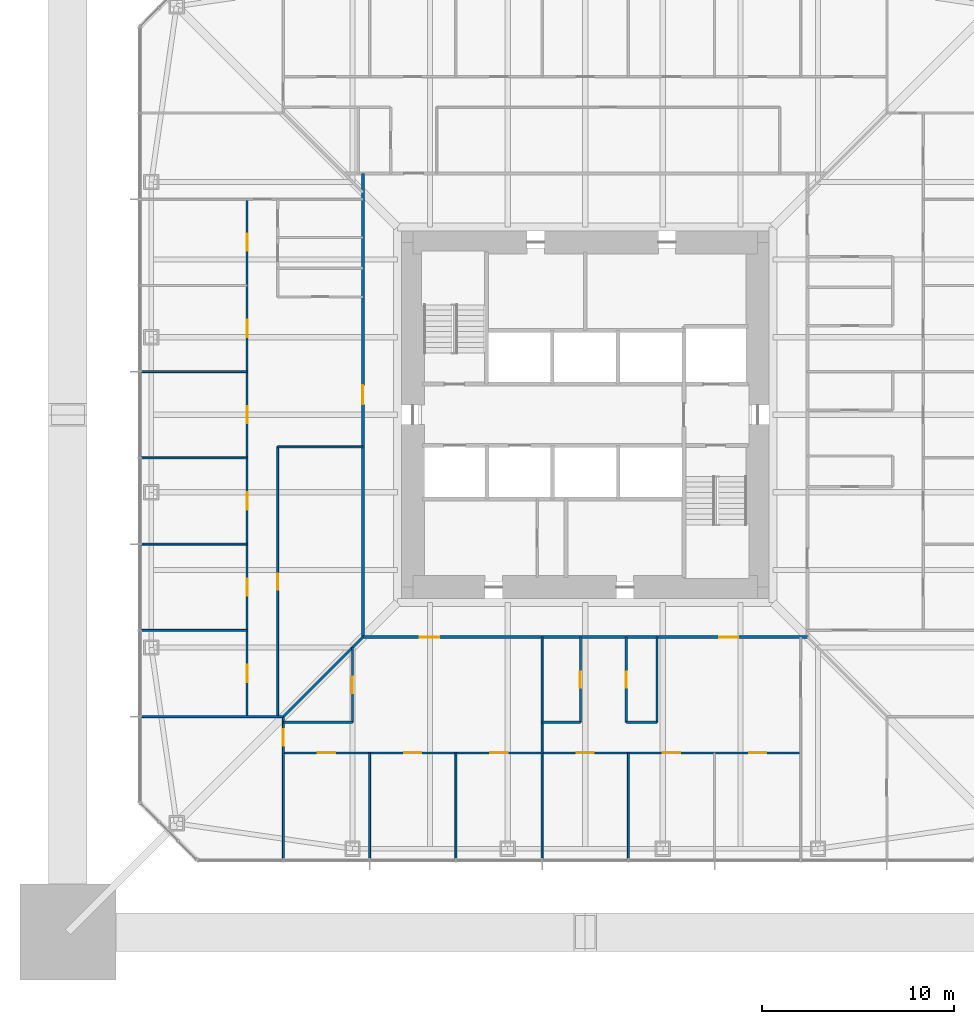
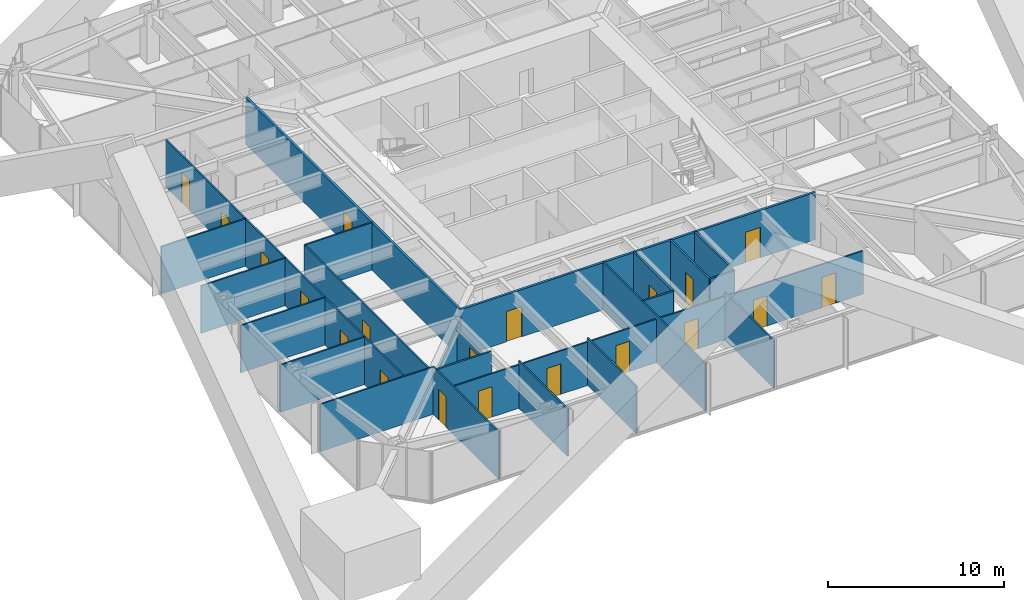
# One storey, part 16 of 28: 24 walls, 20 doors, 20 openings.
"""IFC4 building model written with IfcOpenShell, lengths in metres."""

from ifc_helpers import new_model, si_unit, direction, frame, frame_2d, origin, place, context, subcontext, project, spatial, rectangle, extrude, material, layer, layer_set, type_object, element, fill, save


model = new_model("IFC4")

# Units and contexts
model_context = context("Model", 3, precision=1e-05, world=origin(), true_north=direction((0.0, 1.0)))
body_context = subcontext(model_context, "Body", "Model", "MODEL_VIEW")
ifc_project = project(units=[si_unit("LENGTHUNIT", "METRE"), si_unit("AREAUNIT", "SQUARE_METRE"), si_unit("VOLUMEUNIT", "CUBIC_METRE"), si_unit("PLANEANGLEUNIT", "RADIAN"), si_unit("MASSUNIT", "GRAM", prefix="KILO")], contexts=[model_context])

# Site, building, storey
site_placement = place(None, origin())
site = spatial("IfcSite", under=ifc_project, at=site_placement, CompositionType="ELEMENT")
building_placement = place(site_placement, origin())
building = spatial("IfcBuilding", under=site, at=building_placement, Name="Iwan Alto Co-Living Towers", CompositionType="ELEMENT")
storey_placement = place(building_placement, frame((0.0, 0.0, 43.0)))
storey = spatial("IfcBuildingStorey", under=building, at=storey_placement, Name="L11", CompositionType="ELEMENT", Elevation=43.0)

# Wall, openings, doors
ifc_material_1 = material(Name="Gypsum board")
ifc_layer_1 = layer(ifc_material_1, 0.02490234375, Name="Board", Category="Finish")
ifc_material_2 = material(Name="Steel ASTM A1003 ST33H cold-formed studs", Category="steel")
ifc_layer_2 = layer(ifc_material_2, 0.10009765625, Name="Studs", Category="Framing")
ifc_layer_3 = layer(ifc_material_1, 0.02490234375, Name="Board", Category="Finish")
ifc_layer_set_1 = layer_set([ifc_layer_1, ifc_layer_2, ifc_layer_3], Name="CORRIDOR WALL 150")
wall_type_1 = type_object("IfcWallType", Name="CORRIDOR WALL 150", PredefinedType="PARTITIONING", material=ifc_layer_set_1)
wall_1_placement = place(storey_placement, frame((-11.60009765625, -11.60009765625, 0.0), z_axis=(0.0, 0.0, 1.0), x_axis=(1.0, 0.0, 0.0)))
wall_1 = element("IfcWall", 1, at=wall_1_placement, inside=storey, type_object=wall_type_1, Name="Partition L11", PredefinedType="PARTITIONING", context=body_context, shape_type="SweptSolid", body=[
    extrude(rectangle(XDim=23.2001953125, YDim=0.14990234375, at=frame_2d((11.60009765625, 0.0))), origin(), (0.0, 0.0, 1.0), 3.27001953125),
])
opening_1_placement = place(wall_1_placement, frame((2.97509765625, 0.0, 0.0)))
opening_1 = element("IfcOpeningElement", 2, at=opening_1_placement, cuts=wall_1, Name="Opening D3", PredefinedType="OPENING", context=body_context, shape_type="SweptSolid", body=[
    extrude(rectangle(XDim=1.0, YDim=2.10009765625, at=frame_2d((0.5, 1.050048828125))), frame((0.0, 0.0849609375, 0.0), z_axis=(0.0, -1.0, 0.0), x_axis=(1.0, 0.0, 0.0)), (0.0, 0.0, 1.0), 0.169921875),
])
opening_2_placement = place(wall_1_placement, frame((18.60009765625, 0.0, 0.0)))
opening_2 = element("IfcOpeningElement", 3, at=opening_2_placement, cuts=wall_1, Name="Opening D3", PredefinedType="OPENING", context=body_context, shape_type="SweptSolid", body=[
    extrude(rectangle(XDim=1.0, YDim=2.10009765625, at=frame_2d((0.5, 1.050048828125))), frame((0.0, 0.0849609375, 0.0), z_axis=(0.0, -1.0, 0.0), x_axis=(1.0, 0.0, 0.0)), (0.0, 0.0, 1.0), 0.169921875),
])
ifc_material_3 = material(Name="Steel frame with timber leaf", Category="steel")
door_type_1 = type_object("IfcDoorType", Name="FLAT ENTRANCE DOOR FD30S 1000X2100", OperationType="SINGLE_SWING_LEFT", PredefinedType="DOOR", material=ifc_material_3)
door_1_placement = place(opening_1_placement, frame((1.0, 0.0, 0.0), z_axis=(0.0, 0.0, 1.0), x_axis=(-1.0, 0.0, 0.0)))
door_1 = element("IfcDoor", 4, at=door_1_placement, inside=storey, type_object=door_type_1, Name="Cluster lounge door L11", OperationType="SINGLE_SWING_RIGHT", OverallHeight=2.10009765625, OverallWidth=1.0, PredefinedType="DOOR", context=body_context, shape_type="SweptSolid", body=[
    extrude(rectangle(XDim=1.0, YDim=2.10009765625, at=frame_2d((0.5, 1.050048828125))), frame((0.0, 0.02490234375, 0.0), z_axis=(0.0, -1.0, 0.0), x_axis=(1.0, 0.0, 0.0)), (0.0, 0.0, 1.0), 0.050048828125),
])
fill(opening_1, door_1)
door_2_placement = place(opening_2_placement, frame((1.0, 0.0, 0.0), z_axis=(0.0, 0.0, 1.0), x_axis=(-1.0, 0.0, 0.0)))
door_2 = element("IfcDoor", 5, at=door_2_placement, inside=storey, type_object=door_type_1, Name="Cluster lounge and shared kitchen door L11", OperationType="SINGLE_SWING_RIGHT", OverallHeight=2.10009765625, OverallWidth=1.0, PredefinedType="DOOR", context=body_context, shape_type="SweptSolid", body=[
    extrude(rectangle(XDim=1.0, YDim=2.10009765625, at=frame_2d((0.5, 1.050048828125))), frame((0.0, 0.02490234375, 0.0), z_axis=(0.0, -1.0, 0.0), x_axis=(1.0, 0.0, 0.0)), (0.0, 0.0, 1.0), 0.050048828125),
])
fill(opening_2, door_2)

# Wall, opening, door
wall_2_placement = place(storey_placement, frame((-11.60009765625, -11.60009765625, 0.0), z_axis=(0.0, 0.0, 1.0), x_axis=(0.0, 1.0, 0.0)))
wall_2 = element("IfcWall", 6, at=wall_2_placement, inside=storey, type_object=wall_type_1, Name="Partition L11", PredefinedType="PARTITIONING", context=body_context, shape_type="SweptSolid", body=[
    extrude(rectangle(XDim=24.2001953125, YDim=0.14990234375, at=frame_2d((12.10009765625, 0.0))), origin(), (0.0, 0.0, 1.0), 3.27001953125),
])
opening_3_placement = place(wall_2_placement, frame((12.139892578125, 0.0, 0.0)))
opening_3 = element("IfcOpeningElement", 7, at=opening_3_placement, cuts=wall_2, Name="Opening D3", PredefinedType="OPENING", context=body_context, shape_type="SweptSolid", body=[
    extrude(rectangle(XDim=1.0, YDim=2.10009765625, at=frame_2d((0.5, 1.050048828125))), frame((0.0, 0.0849609375, 0.0), z_axis=(0.0, -1.0, 0.0), x_axis=(1.0, 0.0, 0.0)), (0.0, 0.0, 1.0), 0.169921875),
])
door_3_placement = place(opening_3_placement, origin())
door_3 = element("IfcDoor", 8, at=door_3_placement, inside=storey, type_object=door_type_1, Name="Cluster lounge and shared kitchen door L11", OperationType="SINGLE_SWING_LEFT", OverallHeight=2.10009765625, OverallWidth=1.0, PredefinedType="DOOR", context=body_context, shape_type="SweptSolid", body=[
    extrude(rectangle(XDim=1.0, YDim=2.10009765625, at=frame_2d((0.5, 1.050048828125))), frame((0.0, 0.02490234375, 0.0), z_axis=(0.0, -1.0, 0.0), x_axis=(1.0, 0.0, 0.0)), (0.0, 0.0, 1.0), 0.050048828125),
])
fill(opening_3, door_3)

# Wall, openings, doors
ifc_layer_4 = layer(ifc_material_1, 0.012451171875, Name="Board", Category="Finish")
ifc_layer_5 = layer(ifc_material_2, 0.074951171875, Name="Studs", Category="Framing")
ifc_layer_6 = layer(ifc_material_1, 0.012451171875, Name="Board", Category="Finish")
ifc_layer_set_2 = layer_set([ifc_layer_4, ifc_layer_5, ifc_layer_6], Name="PARTITION 100")
wall_type_2 = type_object("IfcWallType", Name="PARTITION 100", PredefinedType="PARTITIONING", material=ifc_layer_set_2)
wall_3_placement = place(storey_placement, frame((-15.75, -17.64990234375, 0.0), z_axis=(0.0, 0.0, 1.0), x_axis=(1.0, 0.0, 0.0)))
wall_3 = element("IfcWall", 9, at=wall_3_placement, inside=storey, type_object=wall_type_2, Name="Partition L11", PredefinedType="PARTITIONING", context=body_context, shape_type="SweptSolid", body=[
    extrude(rectangle(XDim=27.0, YDim=0.10009765625, at=frame_2d((13.5, 0.0))), origin(), (0.0, 0.0, 1.0), 3.0),
])
opening_4_placement = place(wall_3_placement, frame((1.800048828125, 0.0, 0.0)))
opening_4 = element("IfcOpeningElement", 10, at=opening_4_placement, cuts=wall_3, Name="Opening D1", PredefinedType="OPENING", context=body_context, shape_type="SweptSolid", body=[
    extrude(rectangle(XDim=0.89990234375, YDim=2.10009765625, at=frame_2d((0.449951171875, 1.050048828125))), frame((0.0, 0.06005859375, 0.0), z_axis=(0.0, -1.0, 0.0), x_axis=(1.0, 0.0, 0.0)), (0.0, 0.0, 1.0), 0.1201171875),
])
opening_5_placement = place(wall_3_placement, frame((6.300048828125, 0.0, 0.0)))
opening_5 = element("IfcOpeningElement", 11, at=opening_5_placement, cuts=wall_3, Name="Opening D1", PredefinedType="OPENING", context=body_context, shape_type="SweptSolid", body=[
    extrude(rectangle(XDim=0.89990234375, YDim=2.10009765625, at=frame_2d((0.449951171875, 1.050048828125))), frame((0.0, 0.06005859375, 0.0), z_axis=(0.0, -1.0, 0.0), x_axis=(1.0, 0.0, 0.0)), (0.0, 0.0, 1.0), 0.1201171875),
])
opening_6_placement = place(wall_3_placement, frame((10.800048828125, 0.0, 0.0)))
opening_6 = element("IfcOpeningElement", 12, at=opening_6_placement, cuts=wall_3, Name="Opening D1", PredefinedType="OPENING", context=body_context, shape_type="SweptSolid", body=[
    extrude(rectangle(XDim=0.89990234375, YDim=2.10009765625, at=frame_2d((0.449951171875, 1.050048828125))), frame((0.0, 0.06005859375, 0.0), z_axis=(0.0, -1.0, 0.0), x_axis=(1.0, 0.0, 0.0)), (0.0, 0.0, 1.0), 0.1201171875),
])
opening_7_placement = place(wall_3_placement, frame((15.300048828125, 0.0, 0.0)))
opening_7 = element("IfcOpeningElement", 13, at=opening_7_placement, cuts=wall_3, Name="Opening D1", PredefinedType="OPENING", context=body_context, shape_type="SweptSolid", body=[
    extrude(rectangle(XDim=0.89990234375, YDim=2.10009765625, at=frame_2d((0.449951171875, 1.050048828125))), frame((0.0, 0.06005859375, 0.0), z_axis=(0.0, -1.0, 0.0), x_axis=(1.0, 0.0, 0.0)), (0.0, 0.0, 1.0), 0.1201171875),
])
opening_8_placement = place(wall_3_placement, frame((19.800048828125, 0.0, 0.0)))
opening_8 = element("IfcOpeningElement", 14, at=opening_8_placement, cuts=wall_3, Name="Opening D1", PredefinedType="OPENING", context=body_context, shape_type="SweptSolid", body=[
    extrude(rectangle(XDim=0.89990234375, YDim=2.10009765625, at=frame_2d((0.449951171875, 1.050048828125))), frame((0.0, 0.06005859375, 0.0), z_axis=(0.0, -1.0, 0.0), x_axis=(1.0, 0.0, 0.0)), (0.0, 0.0, 1.0), 0.1201171875),
])
opening_9_placement = place(wall_3_placement, frame((24.300048828125, 0.0, 0.0)))
opening_9 = element("IfcOpeningElement", 15, at=opening_9_placement, cuts=wall_3, Name="Opening D1", PredefinedType="OPENING", context=body_context, shape_type="SweptSolid", body=[
    extrude(rectangle(XDim=0.89990234375, YDim=2.10009765625, at=frame_2d((0.449951171875, 1.050048828125))), frame((0.0, 0.06005859375, 0.0), z_axis=(0.0, -1.0, 0.0), x_axis=(1.0, 0.0, 0.0)), (0.0, 0.0, 1.0), 0.1201171875),
])
ifc_material_4 = material(Name="Timber leaf in steel frame", Category="steel")
door_type_2 = type_object("IfcDoorType", Name="BEDROOM DOOR 900X2100", OperationType="SINGLE_SWING_LEFT", PredefinedType="DOOR", material=ifc_material_4)
door_4_placement = place(opening_4_placement, origin())
door_4 = element("IfcDoor", 16, at=door_4_placement, inside=storey, type_object=door_type_2, Name="Study bedroom door L11", OperationType="SINGLE_SWING_LEFT", OverallHeight=2.10009765625, OverallWidth=0.89990234375, PredefinedType="DOOR", context=body_context, shape_type="SweptSolid", body=[
    extrude(rectangle(XDim=0.89990234375, YDim=2.10009765625, at=frame_2d((0.449951171875, 1.050048828125))), frame((0.0, 0.02490234375, 0.0), z_axis=(0.0, -1.0, 0.0), x_axis=(1.0, 0.0, 0.0)), (0.0, 0.0, 1.0), 0.050048828125),
])
fill(opening_4, door_4)
door_5_placement = place(opening_5_placement, origin())
door_5 = element("IfcDoor", 17, at=door_5_placement, inside=storey, type_object=door_type_2, Name="Study bedroom door L11", OperationType="SINGLE_SWING_LEFT", OverallHeight=2.10009765625, OverallWidth=0.89990234375, PredefinedType="DOOR", context=body_context, shape_type="SweptSolid", body=[
    extrude(rectangle(XDim=0.89990234375, YDim=2.10009765625, at=frame_2d((0.449951171875, 1.050048828125))), frame((0.0, 0.02490234375, 0.0), z_axis=(0.0, -1.0, 0.0), x_axis=(1.0, 0.0, 0.0)), (0.0, 0.0, 1.0), 0.050048828125),
])
fill(opening_5, door_5)
door_6_placement = place(opening_6_placement, origin())
door_6 = element("IfcDoor", 18, at=door_6_placement, inside=storey, type_object=door_type_2, Name="Study bedroom door L11", OperationType="SINGLE_SWING_RIGHT", OverallHeight=2.10009765625, OverallWidth=0.89990234375, PredefinedType="DOOR", context=body_context, shape_type="SweptSolid", body=[
    extrude(rectangle(XDim=0.89990234375, YDim=2.10009765625, at=frame_2d((0.449951171875, 1.050048828125))), frame((0.0, 0.02490234375, 0.0), z_axis=(0.0, -1.0, 0.0), x_axis=(1.0, 0.0, 0.0)), (0.0, 0.0, 1.0), 0.050048828125),
])
fill(opening_6, door_6)
door_7_placement = place(opening_7_placement, origin())
door_7 = element("IfcDoor", 19, at=door_7_placement, inside=storey, type_object=door_type_2, Name="Study bedroom door L11", OperationType="SINGLE_SWING_LEFT", OverallHeight=2.10009765625, OverallWidth=0.89990234375, PredefinedType="DOOR", context=body_context, shape_type="SweptSolid", body=[
    extrude(rectangle(XDim=0.89990234375, YDim=2.10009765625, at=frame_2d((0.449951171875, 1.050048828125))), frame((0.0, 0.02490234375, 0.0), z_axis=(0.0, -1.0, 0.0), x_axis=(1.0, 0.0, 0.0)), (0.0, 0.0, 1.0), 0.050048828125),
])
fill(opening_7, door_7)
door_8_placement = place(opening_8_placement, origin())
door_8 = element("IfcDoor", 20, at=door_8_placement, inside=storey, type_object=door_type_2, Name="Study bedroom door L11", OperationType="SINGLE_SWING_LEFT", OverallHeight=2.10009765625, OverallWidth=0.89990234375, PredefinedType="DOOR", context=body_context, shape_type="SweptSolid", body=[
    extrude(rectangle(XDim=0.89990234375, YDim=2.10009765625, at=frame_2d((0.449951171875, 1.050048828125))), frame((0.0, 0.02490234375, 0.0), z_axis=(0.0, -1.0, 0.0), x_axis=(1.0, 0.0, 0.0)), (0.0, 0.0, 1.0), 0.050048828125),
])
fill(opening_8, door_8)
door_9_placement = place(opening_9_placement, origin())
door_9 = element("IfcDoor", 21, at=door_9_placement, inside=storey, type_object=door_type_2, Name="Study bedroom door L11", OperationType="SINGLE_SWING_RIGHT", OverallHeight=2.10009765625, OverallWidth=0.89990234375, PredefinedType="DOOR", context=body_context, shape_type="SweptSolid", body=[
    extrude(rectangle(XDim=0.89990234375, YDim=2.10009765625, at=frame_2d((0.449951171875, 1.050048828125))), frame((0.0, 0.02490234375, 0.0), z_axis=(0.0, -1.0, 0.0), x_axis=(1.0, 0.0, 0.0)), (0.0, 0.0, 1.0), 0.050048828125),
])
fill(opening_9, door_9)

# Walls
wall_4_placement = place(storey_placement, frame((-23.18994140625, -15.75, 0.0), z_axis=(0.0, 0.0, 1.0), x_axis=(1.0, 0.0, 0.0)))
element("IfcWall", 22, at=wall_4_placement, inside=storey, type_object=wall_type_2, Name="Partition L11", PredefinedType="PARTITIONING", context=body_context, shape_type="SweptSolid", body=[
    extrude(rectangle(XDim=7.43994140625, YDim=0.10009765625, at=frame_2d((3.719970703125, 0.0))), origin(), (0.0, 0.0, 1.0), 3.27001953125),
])
for number, where, z_axis, x_axis, name in (
    (23, (-23.18994140625, -11.25, 0.0), (0.0, 0.0, 1.0), (1.0, 0.0, 0.0), "Partition L11"),
    (24, (-23.18994140625, -6.75, 0.0), (0.0, 0.0, 1.0), (1.0, 0.0, 0.0), "Partition L11"),
    (25, (-23.18994140625, -2.25, 0.0), (0.0, 0.0, 1.0), (1.0, 0.0, 0.0), "Partition L11"),
):
    element("IfcWall", number, at=place(storey_placement, frame(where, z_axis=z_axis, x_axis=x_axis)), inside=storey, type_object=wall_type_2, Name=name, PredefinedType="PARTITIONING", context=body_context, shape_type="SweptSolid", body=[
        extrude(rectangle(XDim=5.5400390625, YDim=0.10009765625, at=frame_2d((2.77001953125, 0.0))), origin(), (0.0, 0.0, 1.0), 3.27001953125),
    ])
wall_5_placement = place(storey_placement, frame((-16.050048828125, -1.669921875, 0.0), z_axis=(0.0, 0.0, 1.0), x_axis=(1.0, 0.0, 0.0)))
element("IfcWall", 26, at=wall_5_placement, inside=storey, type_object=wall_type_2, Name="Partition L11", PredefinedType="PARTITIONING", context=body_context, shape_type="SweptSolid", body=[
    extrude(rectangle(XDim=4.449951171875, YDim=0.10009765625, at=frame_2d((2.22509765625, 0.0))), origin(), (0.0, 0.0, 1.0), 3.27001953125),
])
for number, where, z_axis, x_axis, name in (
    (27, (-23.18994140625, 2.25, 0.0), (0.0, 0.0, 1.0), (1.0, 0.0, 0.0), "Partition L11"),
    (28, (2.25, -23.18994140625, 0.0), (0.0, 0.0, 1.0), (0.0, 1.0, 0.0), "Partition L11"),
):
    element("IfcWall", number, at=place(storey_placement, frame(where, z_axis=z_axis, x_axis=x_axis)), inside=storey, type_object=wall_type_2, Name=name, PredefinedType="PARTITIONING", context=body_context, shape_type="SweptSolid", body=[
        extrude(rectangle(XDim=5.5400390625, YDim=0.10009765625, at=frame_2d((2.77001953125, 0.0))), origin(), (0.0, 0.0, 1.0), 3.27001953125),
    ])
wall_6_placement = place(storey_placement, frame((-2.25, -23.18994140625, 0.0), z_axis=(0.0, 0.0, 1.0), x_axis=(0.0, 1.0, 0.0)))
element("IfcWall", 29, at=wall_6_placement, inside=storey, type_object=wall_type_2, Name="Partition L11", PredefinedType="PARTITIONING", context=body_context, shape_type="SweptSolid", body=[
    extrude(rectangle(XDim=11.58984375, YDim=0.10009765625, at=frame_2d((5.794921875, 0.0))), origin(), (0.0, 0.0, 1.0), 3.27001953125),
])
for number, where, z_axis, x_axis, name in (
    (30, (-6.75, -23.18994140625, 0.0), (0.0, 0.0, 1.0), (0.0, 1.0, 0.0), "Partition L11"),
    (31, (-11.25, -23.18994140625, 0.0), (0.0, 0.0, 1.0), (0.0, 1.0, 0.0), "Partition L11"),
):
    element("IfcWall", number, at=place(storey_placement, frame(where, z_axis=z_axis, x_axis=x_axis)), inside=storey, type_object=wall_type_2, Name=name, PredefinedType="PARTITIONING", context=body_context, shape_type="SweptSolid", body=[
        extrude(rectangle(XDim=5.5400390625, YDim=0.10009765625, at=frame_2d((2.77001953125, 0.0))), origin(), (0.0, 0.0, 1.0), 3.27001953125),
    ])

# Wall, opening, door
wall_7_placement = place(storey_placement, frame((-15.75, -23.18994140625, 0.0), z_axis=(0.0, 0.0, 1.0), x_axis=(0.0, 1.0, 0.0)))
wall_7 = element("IfcWall", 32, at=wall_7_placement, inside=storey, type_object=wall_type_2, Name="Partition L11", PredefinedType="PARTITIONING", context=body_context, shape_type="SweptSolid", body=[
    extrude(rectangle(XDim=7.43994140625, YDim=0.10009765625, at=frame_2d((3.719970703125, 0.0))), origin(), (0.0, 0.0, 1.0), 3.27001953125),
])
opening_10_placement = place(wall_7_placement, frame((5.9150390625, 0.0, 0.0)))
opening_10 = element("IfcOpeningElement", 33, at=opening_10_placement, cuts=wall_7, Name="Opening D2", PredefinedType="OPENING", context=body_context, shape_type="SweptSolid", body=[
    extrude(rectangle(XDim=0.85009765625, YDim=2.10009765625, at=frame_2d((0.425048828125, 1.050048828125))), frame((0.0, 0.06005859375, 0.0), z_axis=(0.0, -1.0, 0.0), x_axis=(1.0, 0.0, 0.0)), (0.0, 0.0, 1.0), 0.1201171875),
])
ifc_material_5 = material(Name="Timber leaf in steel frame", Category="steel")
door_type_3 = type_object("IfcDoorType", Name="ROOM DOOR 850X2100", OperationType="SINGLE_SWING_LEFT", PredefinedType="DOOR", material=ifc_material_5)
door_10_placement = place(opening_10_placement, frame((0.85009765625, 0.0, 0.0), z_axis=(0.0, 0.0, 1.0), x_axis=(-1.0, 0.0, 0.0)))
door_10 = element("IfcDoor", 34, at=door_10_placement, inside=storey, type_object=door_type_3, Name="Shared kitchen and dining room door L11", OperationType="SINGLE_SWING_RIGHT", OverallHeight=2.10009765625, OverallWidth=0.85009765625, PredefinedType="DOOR", context=body_context, shape_type="SweptSolid", body=[
    extrude(rectangle(XDim=0.85009765625, YDim=2.10009765625, at=frame_2d((0.425048828125, 1.050048828125))), frame((0.0, 0.02490234375, 0.0), z_axis=(0.0, -1.0, 0.0), x_axis=(1.0, 0.0, 0.0)), (0.0, 0.0, 1.0), 0.050048828125),
])
fill(opening_10, door_10)

wall_8_placement = place(storey_placement, frame((-16.050048828125, -15.75, 0.0), z_axis=(0.0, 0.0, 1.0), x_axis=(0.0, 1.0, 0.0)))
wall_8 = element("IfcWall", 35, at=wall_8_placement, inside=storey, type_object=wall_type_2, Name="Partition L11", PredefinedType="PARTITIONING", context=body_context, shape_type="SweptSolid", body=[
    extrude(rectangle(XDim=14.080078125, YDim=0.10009765625, at=frame_2d((7.0400390625, 0.0))), origin(), (0.0, 0.0, 1.0), 3.27001953125),
])
opening_11_placement = place(wall_8_placement, frame((6.614990234375, 0.0, 0.0)))
opening_11 = element("IfcOpeningElement", 36, at=opening_11_placement, cuts=wall_8, Name="Opening D2", PredefinedType="OPENING", context=body_context, shape_type="SweptSolid", body=[
    extrude(rectangle(XDim=0.85009765625, YDim=2.10009765625, at=frame_2d((0.425048828125, 1.050048828125))), frame((0.0, 0.06005859375, 0.0), z_axis=(0.0, -1.0, 0.0), x_axis=(1.0, 0.0, 0.0)), (0.0, 0.0, 1.0), 0.1201171875),
])
door_11_placement = place(opening_11_placement, origin())
door_11 = element("IfcDoor", 37, at=door_11_placement, inside=storey, type_object=door_type_3, Name="Study lounge door L11", OperationType="SINGLE_SWING_LEFT", OverallHeight=2.10009765625, OverallWidth=0.85009765625, PredefinedType="DOOR", context=body_context, shape_type="SweptSolid", body=[
    extrude(rectangle(XDim=0.85009765625, YDim=2.10009765625, at=frame_2d((0.425048828125, 1.050048828125))), frame((0.0, 0.02490234375, 0.0), z_axis=(0.0, -1.0, 0.0), x_axis=(1.0, 0.0, 0.0)), (0.0, 0.0, 1.0), 0.050048828125),
])
fill(opening_11, door_11)

# Wall, openings, doors
wall_9_placement = place(storey_placement, frame((-17.64990234375, -15.75, 0.0), z_axis=(0.0, 0.0, 1.0), x_axis=(0.0, 1.0, 0.0)))
wall_9 = element("IfcWall", 38, at=wall_9_placement, inside=storey, type_object=wall_type_2, Name="Partition L11", PredefinedType="PARTITIONING", context=body_context, shape_type="SweptSolid", body=[
    extrude(rectangle(XDim=27.0, YDim=0.10009765625, at=frame_2d((13.5, 0.0))), origin(), (0.0, 0.0, 1.0), 3.27001953125),
])
opening_12_placement = place(wall_9_placement, frame((24.300048828125, 0.0, 0.0)))
opening_12 = element("IfcOpeningElement", 39, at=opening_12_placement, cuts=wall_9, Name="Opening D1", PredefinedType="OPENING", context=body_context, shape_type="SweptSolid", body=[
    extrude(rectangle(XDim=0.89990234375, YDim=2.10009765625, at=frame_2d((0.449951171875, 1.050048828125))), frame((0.0, 0.06005859375, 0.0), z_axis=(0.0, -1.0, 0.0), x_axis=(1.0, 0.0, 0.0)), (0.0, 0.0, 1.0), 0.1201171875),
])
opening_13_placement = place(wall_9_placement, frame((19.800048828125, 0.0, 0.0)))
opening_13 = element("IfcOpeningElement", 40, at=opening_13_placement, cuts=wall_9, Name="Opening D1", PredefinedType="OPENING", context=body_context, shape_type="SweptSolid", body=[
    extrude(rectangle(XDim=0.89990234375, YDim=2.10009765625, at=frame_2d((0.449951171875, 1.050048828125))), frame((0.0, 0.06005859375, 0.0), z_axis=(0.0, -1.0, 0.0), x_axis=(1.0, 0.0, 0.0)), (0.0, 0.0, 1.0), 0.1201171875),
])
opening_14_placement = place(wall_9_placement, frame((15.300048828125, 0.0, 0.0)))
opening_14 = element("IfcOpeningElement", 41, at=opening_14_placement, cuts=wall_9, Name="Opening D1", PredefinedType="OPENING", context=body_context, shape_type="SweptSolid", body=[
    extrude(rectangle(XDim=0.89990234375, YDim=2.10009765625, at=frame_2d((0.449951171875, 1.050048828125))), frame((0.0, 0.06005859375, 0.0), z_axis=(0.0, -1.0, 0.0), x_axis=(1.0, 0.0, 0.0)), (0.0, 0.0, 1.0), 0.1201171875),
])
opening_15_placement = place(wall_9_placement, frame((10.800048828125, 0.0, 0.0)))
opening_15 = element("IfcOpeningElement", 42, at=opening_15_placement, cuts=wall_9, Name="Opening D1", PredefinedType="OPENING", context=body_context, shape_type="SweptSolid", body=[
    extrude(rectangle(XDim=0.89990234375, YDim=2.10009765625, at=frame_2d((0.449951171875, 1.050048828125))), frame((0.0, 0.06005859375, 0.0), z_axis=(0.0, -1.0, 0.0), x_axis=(1.0, 0.0, 0.0)), (0.0, 0.0, 1.0), 0.1201171875),
])
opening_16_placement = place(wall_9_placement, frame((6.300048828125, 0.0, 0.0)))
opening_16 = element("IfcOpeningElement", 43, at=opening_16_placement, cuts=wall_9, Name="Opening D1", PredefinedType="OPENING", context=body_context, shape_type="SweptSolid", body=[
    extrude(rectangle(XDim=0.89990234375, YDim=2.10009765625, at=frame_2d((0.449951171875, 1.050048828125))), frame((0.0, 0.06005859375, 0.0), z_axis=(0.0, -1.0, 0.0), x_axis=(1.0, 0.0, 0.0)), (0.0, 0.0, 1.0), 0.1201171875),
])
opening_17_placement = place(wall_9_placement, frame((1.800048828125, 0.0, 0.0)))
opening_17 = element("IfcOpeningElement", 44, at=opening_17_placement, cuts=wall_9, Name="Opening D1", PredefinedType="OPENING", context=body_context, shape_type="SweptSolid", body=[
    extrude(rectangle(XDim=0.89990234375, YDim=2.10009765625, at=frame_2d((0.449951171875, 1.050048828125))), frame((0.0, 0.06005859375, 0.0), z_axis=(0.0, -1.0, 0.0), x_axis=(1.0, 0.0, 0.0)), (0.0, 0.0, 1.0), 0.1201171875),
])
door_12_placement = place(opening_12_placement, frame((0.89990234375, 0.0, 0.0), z_axis=(0.0, 0.0, 1.0), x_axis=(-1.0, 0.0, 0.0)))
door_12 = element("IfcDoor", 45, at=door_12_placement, inside=storey, type_object=door_type_2, Name="Study bedroom door L11", OperationType="SINGLE_SWING_LEFT", OverallHeight=2.10009765625, OverallWidth=0.89990234375, PredefinedType="DOOR", context=body_context, shape_type="SweptSolid", body=[
    extrude(rectangle(XDim=0.89990234375, YDim=2.10009765625, at=frame_2d((0.449951171875, 1.050048828125))), frame((0.0, 0.02490234375, 0.0), z_axis=(0.0, -1.0, 0.0), x_axis=(1.0, 0.0, 0.0)), (0.0, 0.0, 1.0), 0.050048828125),
])
fill(opening_12, door_12)
door_13_placement = place(opening_13_placement, frame((0.89990234375, 0.0, 0.0), z_axis=(0.0, 0.0, 1.0), x_axis=(-1.0, 0.0, 0.0)))
door_13 = element("IfcDoor", 46, at=door_13_placement, inside=storey, type_object=door_type_2, Name="Study bedroom door L11", OperationType="SINGLE_SWING_LEFT", OverallHeight=2.10009765625, OverallWidth=0.89990234375, PredefinedType="DOOR", context=body_context, shape_type="SweptSolid", body=[
    extrude(rectangle(XDim=0.89990234375, YDim=2.10009765625, at=frame_2d((0.449951171875, 1.050048828125))), frame((0.0, 0.02490234375, 0.0), z_axis=(0.0, -1.0, 0.0), x_axis=(1.0, 0.0, 0.0)), (0.0, 0.0, 1.0), 0.050048828125),
])
fill(opening_13, door_13)
door_14_placement = place(opening_14_placement, frame((0.89990234375, 0.0, 0.0), z_axis=(0.0, 0.0, 1.0), x_axis=(-1.0, 0.0, 0.0)))
door_14 = element("IfcDoor", 47, at=door_14_placement, inside=storey, type_object=door_type_2, Name="Study bedroom door L11", OperationType="SINGLE_SWING_LEFT", OverallHeight=2.10009765625, OverallWidth=0.89990234375, PredefinedType="DOOR", context=body_context, shape_type="SweptSolid", body=[
    extrude(rectangle(XDim=0.89990234375, YDim=2.10009765625, at=frame_2d((0.449951171875, 1.050048828125))), frame((0.0, 0.02490234375, 0.0), z_axis=(0.0, -1.0, 0.0), x_axis=(1.0, 0.0, 0.0)), (0.0, 0.0, 1.0), 0.050048828125),
])
fill(opening_14, door_14)
door_15_placement = place(opening_15_placement, frame((0.89990234375, 0.0, 0.0), z_axis=(0.0, 0.0, 1.0), x_axis=(-1.0, 0.0, 0.0)))
door_15 = element("IfcDoor", 48, at=door_15_placement, inside=storey, type_object=door_type_2, Name="Study bedroom door L11", OperationType="SINGLE_SWING_RIGHT", OverallHeight=2.10009765625, OverallWidth=0.89990234375, PredefinedType="DOOR", context=body_context, shape_type="SweptSolid", body=[
    extrude(rectangle(XDim=0.89990234375, YDim=2.10009765625, at=frame_2d((0.449951171875, 1.050048828125))), frame((0.0, 0.02490234375, 0.0), z_axis=(0.0, -1.0, 0.0), x_axis=(1.0, 0.0, 0.0)), (0.0, 0.0, 1.0), 0.050048828125),
])
fill(opening_15, door_15)
door_16_placement = place(opening_16_placement, frame((0.89990234375, 0.0, 0.0), z_axis=(0.0, 0.0, 1.0), x_axis=(-1.0, 0.0, 0.0)))
door_16 = element("IfcDoor", 49, at=door_16_placement, inside=storey, type_object=door_type_2, Name="Study bedroom door L11", OperationType="SINGLE_SWING_RIGHT", OverallHeight=2.10009765625, OverallWidth=0.89990234375, PredefinedType="DOOR", context=body_context, shape_type="SweptSolid", body=[
    extrude(rectangle(XDim=0.89990234375, YDim=2.10009765625, at=frame_2d((0.449951171875, 1.050048828125))), frame((0.0, 0.02490234375, 0.0), z_axis=(0.0, -1.0, 0.0), x_axis=(1.0, 0.0, 0.0)), (0.0, 0.0, 1.0), 0.050048828125),
])
fill(opening_16, door_16)
door_17_placement = place(opening_17_placement, frame((0.89990234375, 0.0, 0.0), z_axis=(0.0, 0.0, 1.0), x_axis=(-1.0, 0.0, 0.0)))
door_17 = element("IfcDoor", 50, at=door_17_placement, inside=storey, type_object=door_type_2, Name="Study bedroom door L11", OperationType="SINGLE_SWING_RIGHT", OverallHeight=2.10009765625, OverallWidth=0.89990234375, PredefinedType="DOOR", context=body_context, shape_type="SweptSolid", body=[
    extrude(rectangle(XDim=0.89990234375, YDim=2.10009765625, at=frame_2d((0.449951171875, 1.050048828125))), frame((0.0, 0.02490234375, 0.0), z_axis=(0.0, -1.0, 0.0), x_axis=(1.0, 0.0, 0.0)), (0.0, 0.0, 1.0), 0.050048828125),
])
fill(opening_17, door_17)

# Walls
ifc_material_6 = material(Name="Cement board")
ifc_layer_7 = layer(ifc_material_6, 0.012451171875, Name="Board", Category="Finish")
ifc_layer_8 = layer(ifc_material_2, 0.094970703125, Name="Studs", Category="Framing")
ifc_layer_9 = layer(ifc_material_6, 0.012451171875, Name="Board", Category="Finish")
ifc_layer_set_3 = layer_set([ifc_layer_7, ifc_layer_8, ifc_layer_9], Name="WET AREA PARTITION 120")
wall_type_3 = type_object("IfcWallType", Name="WET AREA PARTITION 120", PredefinedType="PARTITIONING", material=ifc_layer_set_3)
wall_10_placement = place(storey_placement, frame((-15.75, -16.050048828125, 0.0), z_axis=(0.0, 0.0, 1.0), x_axis=(1.0, 0.0, 0.0)))
element("IfcWall", 51, at=wall_10_placement, inside=storey, type_object=wall_type_3, Name="Partition L11", PredefinedType="PARTITIONING", context=body_context, shape_type="SweptSolid", body=[
    extrude(rectangle(XDim=3.60009765625, YDim=0.1201171875, at=frame_2d((1.800048828125, 0.0))), origin(), (0.0, 0.0, 1.0), 3.27001953125),
])
wall_11_placement = place(storey_placement, frame((-2.25, -16.050048828125, 0.0), z_axis=(0.0, 0.0, 1.0), x_axis=(1.0, 0.0, 0.0)))
element("IfcWall", 52, at=wall_11_placement, inside=storey, type_object=wall_type_3, Name="Partition L11", PredefinedType="PARTITIONING", context=body_context, shape_type="SweptSolid", body=[
    extrude(rectangle(XDim=2.0, YDim=0.1201171875, at=frame_2d((1.0, 0.0))), origin(), (0.0, 0.0, 1.0), 3.27001953125),
])
wall_12_placement = place(storey_placement, frame((2.14990234375, -16.050048828125, 0.0), z_axis=(0.0, 0.0, 1.0), x_axis=(1.0, 0.0, 0.0)))
element("IfcWall", 53, at=wall_12_placement, inside=storey, type_object=wall_type_3, Name="Partition L11", PredefinedType="PARTITIONING", context=body_context, shape_type="SweptSolid", body=[
    extrude(rectangle(XDim=1.60009765625, YDim=0.1201171875, at=frame_2d((0.800048828125, 0.0))), origin(), (0.0, 0.0, 1.0), 3.27001953125),
])
wall_13_placement = place(storey_placement, frame((-15.75, -15.75, 0.0), z_axis=(0.0, 0.0, 1.0), x_axis=(0.707106781187, 0.707106781187, 0.0)))
element("IfcWall", 54, at=wall_13_placement, inside=storey, type_object=wall_type_3, Name="Partition L11", PredefinedType="PARTITIONING", context=body_context, shape_type="SweptSolid", body=[
    extrude(rectangle(XDim=5.868896484375, YDim=0.1201171875, at=frame_2d((2.9345703125, 0.0))), origin(), (0.0, 0.0, 1.0), 2.343017578125),
])
wall_14_placement = place(storey_placement, frame((3.75, -16.050048828125, 0.0), z_axis=(0.0, 0.0, 1.0), x_axis=(0.0, 1.0, 0.0)))
element("IfcWall", 55, at=wall_14_placement, inside=storey, type_object=wall_type_3, Name="Partition L11", PredefinedType="PARTITIONING", context=body_context, shape_type="SweptSolid", body=[
    extrude(rectangle(XDim=4.449951171875, YDim=0.1201171875, at=frame_2d((2.22509765625, 0.0))), origin(), (0.0, 0.0, 1.0), 3.27001953125),
])

# Wall, opening, door
wall_15_placement = place(storey_placement, frame((2.14990234375, -16.050048828125, 0.0), z_axis=(0.0, 0.0, 1.0), x_axis=(0.0, 1.0, 0.0)))
wall_15 = element("IfcWall", 56, at=wall_15_placement, inside=storey, type_object=wall_type_3, Name="Partition L11", PredefinedType="PARTITIONING", context=body_context, shape_type="SweptSolid", body=[
    extrude(rectangle(XDim=4.449951171875, YDim=0.1201171875, at=frame_2d((2.22509765625, 0.0))), origin(), (0.0, 0.0, 1.0), 3.27001953125),
])
opening_18_placement = place(wall_15_placement, frame((1.800048828125, 0.0, 0.0)))
opening_18 = element("IfcOpeningElement", 57, at=opening_18_placement, cuts=wall_15, Name="Opening D2", PredefinedType="OPENING", context=body_context, shape_type="SweptSolid", body=[
    extrude(rectangle(XDim=0.85009765625, YDim=2.10009765625, at=frame_2d((0.425048828125, 1.050048828125))), frame((0.0, 0.070068359375, 0.0), z_axis=(0.0, -1.0, 0.0), x_axis=(1.0, 0.0, 0.0)), (0.0, 0.0, 1.0), 0.14013671875),
])
door_18_placement = place(opening_18_placement, origin())
door_18 = element("IfcDoor", 58, at=door_18_placement, inside=storey, type_object=door_type_3, Name="Accessible bathroom door L11", OperationType="SINGLE_SWING_RIGHT", OverallHeight=2.10009765625, OverallWidth=0.85009765625, PredefinedType="DOOR", context=body_context, shape_type="SweptSolid", body=[
    extrude(rectangle(XDim=0.85009765625, YDim=2.10009765625, at=frame_2d((0.425048828125, 1.050048828125))), frame((0.0, 0.02490234375, 0.0), z_axis=(0.0, -1.0, 0.0), x_axis=(1.0, 0.0, 0.0)), (0.0, 0.0, 1.0), 0.050048828125),
])
fill(opening_18, door_18)

wall_16_placement = place(storey_placement, frame((-0.25, -16.050048828125, 0.0), z_axis=(0.0, 0.0, 1.0), x_axis=(0.0, 1.0, 0.0)))
wall_16 = element("IfcWall", 59, at=wall_16_placement, inside=storey, type_object=wall_type_3, Name="Partition L11", PredefinedType="PARTITIONING", context=body_context, shape_type="SweptSolid", body=[
    extrude(rectangle(XDim=4.449951171875, YDim=0.1201171875, at=frame_2d((2.22509765625, 0.0))), origin(), (0.0, 0.0, 1.0), 3.27001953125),
])
opening_19_placement = place(wall_16_placement, frame((1.800048828125, 0.0, 0.0)))
opening_19 = element("IfcOpeningElement", 60, at=opening_19_placement, cuts=wall_16, Name="Opening D2", PredefinedType="OPENING", context=body_context, shape_type="SweptSolid", body=[
    extrude(rectangle(XDim=0.85009765625, YDim=2.10009765625, at=frame_2d((0.425048828125, 1.050048828125))), frame((0.0, 0.070068359375, 0.0), z_axis=(0.0, -1.0, 0.0), x_axis=(1.0, 0.0, 0.0)), (0.0, 0.0, 1.0), 0.14013671875),
])
door_19_placement = place(opening_19_placement, frame((0.85009765625, 0.0, 0.0), z_axis=(0.0, 0.0, 1.0), x_axis=(-1.0, 0.0, 0.0)))
door_19 = element("IfcDoor", 61, at=door_19_placement, inside=storey, type_object=door_type_3, Name="Laundry door L11", OperationType="SINGLE_SWING_LEFT", OverallHeight=2.10009765625, OverallWidth=0.85009765625, PredefinedType="DOOR", context=body_context, shape_type="SweptSolid", body=[
    extrude(rectangle(XDim=0.85009765625, YDim=2.10009765625, at=frame_2d((0.425048828125, 1.050048828125))), frame((0.0, 0.02490234375, 0.0), z_axis=(0.0, -1.0, 0.0), x_axis=(1.0, 0.0, 0.0)), (0.0, 0.0, 1.0), 0.050048828125),
])
fill(opening_19, door_19)

wall_17_placement = place(storey_placement, frame((-12.14990234375, -16.050048828125, 0.0), z_axis=(0.0, 0.0, 1.0), x_axis=(0.0, 1.0, 0.0)))
wall_17 = element("IfcWall", 62, at=wall_17_placement, inside=storey, type_object=wall_type_3, Name="Partition L11", PredefinedType="PARTITIONING", context=body_context, shape_type="SweptSolid", body=[
    extrude(rectangle(XDim=3.900146484375, YDim=0.1201171875, at=frame_2d((1.9501953125, 0.0))), origin(), (0.0, 0.0, 1.0), 2.508056640625),
])
opening_20_placement = place(wall_17_placement, frame((1.52490234375, 0.0, 0.0)))
opening_20 = element("IfcOpeningElement", 63, at=opening_20_placement, cuts=wall_17, Name="Opening D2", PredefinedType="OPENING", context=body_context, shape_type="SweptSolid", body=[
    extrude(rectangle(XDim=0.85009765625, YDim=2.10009765625, at=frame_2d((0.425048828125, 1.050048828125))), frame((0.0, 0.070068359375, 0.0), z_axis=(0.0, -1.0, 0.0), x_axis=(1.0, 0.0, 0.0)), (0.0, 0.0, 1.0), 0.14013671875),
])
door_20_placement = place(opening_20_placement, frame((0.85009765625, 0.0, 0.0), z_axis=(0.0, 0.0, 1.0), x_axis=(-1.0, 0.0, 0.0)))
door_20 = element("IfcDoor", 64, at=door_20_placement, inside=storey, type_object=door_type_3, Name="Accessible bathroom door L11", OperationType="SINGLE_SWING_LEFT", OverallHeight=2.10009765625, OverallWidth=0.85009765625, PredefinedType="DOOR", context=body_context, shape_type="SweptSolid", body=[
    extrude(rectangle(XDim=0.85009765625, YDim=2.10009765625, at=frame_2d((0.425048828125, 1.050048828125))), frame((0.0, 0.02490234375, 0.0), z_axis=(0.0, -1.0, 0.0), x_axis=(1.0, 0.0, 0.0)), (0.0, 0.0, 1.0), 0.050048828125),
])
fill(opening_20, door_20)

save(model, "model.ifc")
